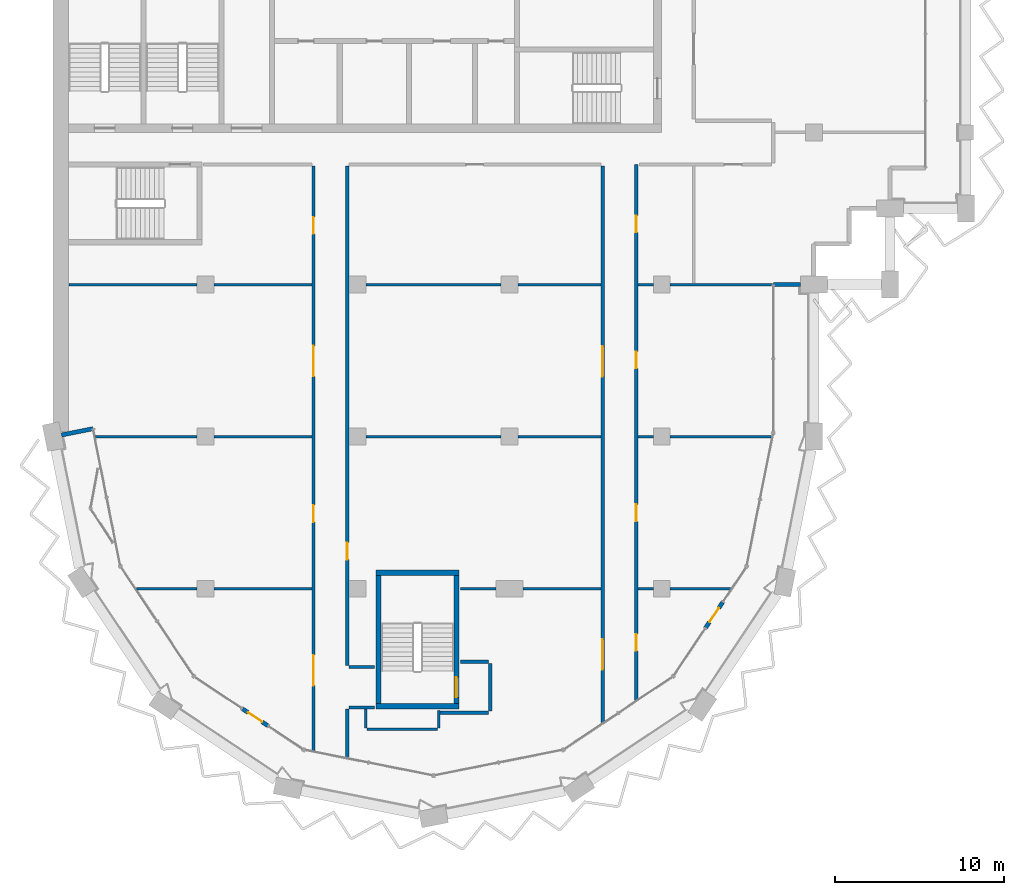
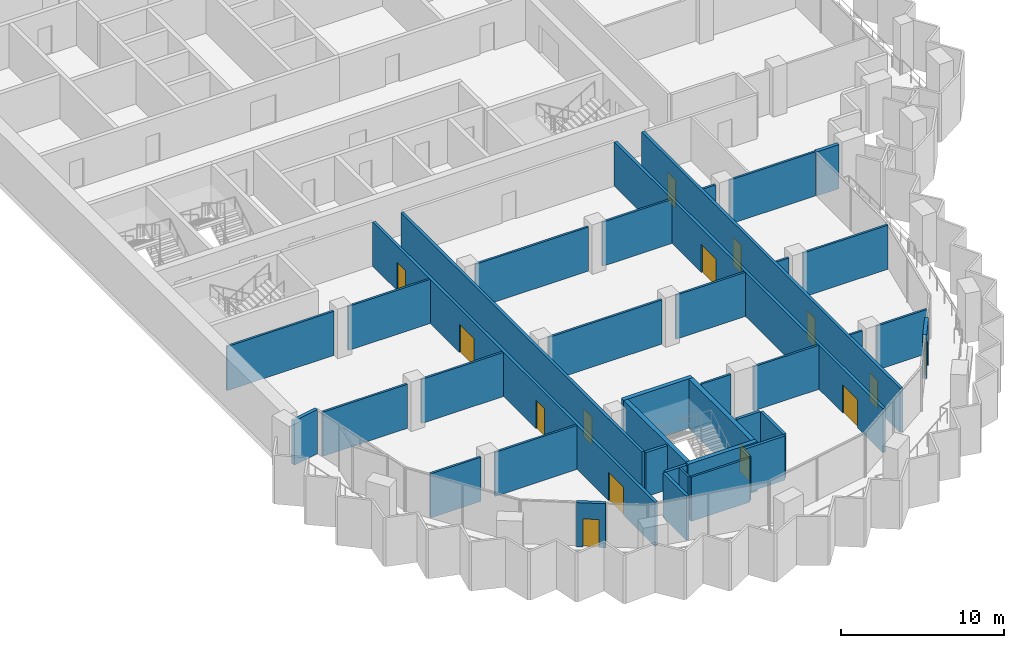
# One storey, part 8 of 17: 39 walls, 14 doors, 14 openings.
"""IFC4 building model written with IfcOpenShell, lengths in metres."""

from ifc_helpers import new_model, si_unit, direction, frame, frame_2d, origin, place, context, subcontext, project, spatial, rectangle, extrude, material, layer, layer_set, type_object, element, fill, save


model = new_model("IFC4")

# Units and contexts
model_context = context("Model", 3, precision=1e-05, world=origin(), true_north=direction((0.0, 1.0)))
body_context = subcontext(model_context, "Body", "Model", "MODEL_VIEW")
ifc_project = project(units=[si_unit("LENGTHUNIT", "METRE"), si_unit("AREAUNIT", "SQUARE_METRE"), si_unit("VOLUMEUNIT", "CUBIC_METRE"), si_unit("PLANEANGLEUNIT", "RADIAN"), si_unit("MASSUNIT", "GRAM", prefix="KILO")], contexts=[model_context])

# Site, building, storey
site_placement = place(None, origin())
site = spatial("IfcSite", under=ifc_project, at=site_placement, CompositionType="ELEMENT")
building_placement = place(site_placement, origin())
building = spatial("IfcBuilding", under=site, at=building_placement, Name="Hunhe Ridgeline Campus", CompositionType="ELEMENT")
storey_placement = place(building_placement, frame((0.0, 0.0, 268.800048828125)))
storey = spatial("IfcBuildingStorey", under=building, at=storey_placement, Name="L69", CompositionType="ELEMENT", Elevation=268.800048828125)

# Walls
ifc_material_1 = material(Name="Concrete C30", Category="concrete")
ifc_layer_1 = layer(ifc_material_1, 0.25)
ifc_layer_set_1 = layer_set([ifc_layer_1], Name="Corner return wall 250 Concrete C30")
wall_type_1 = type_object("IfcWallType", Name="Corner return wall 250 Concrete C30", PredefinedType="SOLIDWALL", material=ifc_layer_set_1)
wall_1_placement = place(storey_placement, frame((0.490234375, 45.098388671875, 0.0), z_axis=(0.0, 0.0, 1.0), x_axis=(0.980836699013, 0.194831644939, 0.0)))
element("IfcWall", 1, at=wall_1_placement, inside=storey, type_object=wall_type_1, Name="Corner return wall 1", PredefinedType="SOLIDWALL", context=body_context, shape_type="SweptSolid", body=[
    extrude(rectangle(XDim=1.90087890625, YDim=0.25, at=frame_2d((0.950439453125, 0.0))), origin(), (0.0, 0.0, 1.0), 3.300048828125),
])
wall_2_placement = place(storey_placement, frame((42.59912109375, 54.00048828125, 0.0), z_axis=(0.0, 0.0, 1.0), x_axis=(0.999999988371, 0.000152508767, 0.0)))
element("IfcWall", 2, at=wall_2_placement, inside=storey, type_object=wall_type_1, Name="Corner return wall 2", PredefinedType="SOLIDWALL", context=body_context, shape_type="SweptSolid", body=[
    extrude(rectangle(XDim=1.600830078125, YDim=0.25, at=frame_2d((0.80029296875, 0.0))), origin(), (0.0, 0.0, 1.0), 3.300048828125),
])
ifc_material_2 = material(Name="Gypsum board partition")
ifc_layer_2 = layer(ifc_material_2, 0.199951171875)
ifc_layer_set_2 = layer_set([ifc_layer_2], Name="Corridor partition 200 gypsum board on steel studs")
wall_type_2 = type_object("IfcWallType", Name="Corridor partition 200 gypsum board on steel studs", PredefinedType="PARTITIONING", material=ifc_layer_set_2)
wall_3_placement = place(storey_placement, frame((25.75, 28.675048828125, 0.0), z_axis=(0.0, 0.0, 1.0), x_axis=(-1.0, 0.0, 0.0)))
element("IfcWall", 3, at=wall_3_placement, inside=storey, type_object=wall_type_2, Name="F-L69-wall-002", PredefinedType="PARTITIONING", context=body_context, shape_type="SweptSolid", body=[
    extrude(rectangle(XDim=2.875, YDim=0.199951171875, at=frame_2d((1.4375, 0.0))), origin(), (0.0, 0.0, 1.0), 3.300048828125),
])
for number, where, z_axis, x_axis, name in (
    (4, (18.99609375, 28.97509765625, 0.0), (0.0, 0.0, 1.0), (-1.0, 0.0, 0.0), "F-L69-wall-003"),
    (5, (17.5, 31.375, 0.0), (0.0, 0.0, 1.0), (1.0, 0.0, 0.0), "F-L69-wall-004"),
):
    element("IfcWall", number, at=place(storey_placement, frame(where, z_axis=z_axis, x_axis=x_axis)), inside=storey, type_object=wall_type_2, Name=name, PredefinedType="PARTITIONING", context=body_context, shape_type="SweptSolid", body=[
        extrude(rectangle(XDim=1.49609375, YDim=0.199951171875, at=frame_2d((0.748046875, 0.0))), origin(), (0.0, 0.0, 1.0), 3.300048828125),
    ])
wall_4_placement = place(storey_placement, frame((24.10400390625, 31.675048828125, 0.0), z_axis=(0.0, 0.0, 1.0), x_axis=(1.0, 0.0, 0.0)))
element("IfcWall", 6, at=wall_4_placement, inside=storey, type_object=wall_type_2, Name="F-L69-wall-005", PredefinedType="PARTITIONING", context=body_context, shape_type="SweptSolid", body=[
    extrude(rectangle(XDim=1.64599609375, YDim=0.199951171875, at=frame_2d((0.822998046875, 0.0))), origin(), (0.0, 0.0, 1.0), 3.300048828125),
])

# Wall, openings, doors
wall_5_placement = place(storey_placement, frame((15.39990234375, 26.415283203125, 0.0), z_axis=(0.0, 0.0, 1.0), x_axis=(0.0, 1.0, 0.0)))
wall_5 = element("IfcWall", 7, at=wall_5_placement, inside=storey, type_object=wall_type_2, Name="F-L69-wall-037", PredefinedType="PARTITIONING", context=body_context, shape_type="SweptSolid", body=[
    extrude(rectangle(XDim=34.584716796875, YDim=0.199951171875, at=frame_2d((17.29248046875, 0.0))), origin(), (0.0, 0.0, 1.0), 3.300048828125),
])
opening_1_placement = place(wall_5_placement, frame((3.86181640625, 0.0, 0.0)))
opening_1 = element("IfcOpeningElement", 8, at=opening_1_placement, cuts=wall_5, Name="Opening RD2-001", PredefinedType="OPENING", context=body_context, shape_type="SweptSolid", body=[
    extrude(rectangle(XDim=1.800048828125, YDim=2.10009765625, at=frame_2d((0.89990234375, 1.050048828125))), frame((0.0, 0.10009765625, 0.0), z_axis=(0.0, -1.0, 0.0), x_axis=(1.0, 0.0, 0.0)), (0.0, 0.0, 1.0), 0.199951171875),
])
opening_2_placement = place(wall_5_placement, frame((13.5341796875, 0.0, 0.0)))
opening_2 = element("IfcOpeningElement", 9, at=opening_2_placement, cuts=wall_5, Name="Opening RD1-005", PredefinedType="OPENING", context=body_context, shape_type="SweptSolid", body=[
    extrude(rectangle(XDim=1.0, YDim=2.10009765625, at=frame_2d((0.5, 1.050048828125))), frame((0.0, 0.10009765625, 0.0), z_axis=(0.0, -1.0, 0.0), x_axis=(1.0, 0.0, 0.0)), (0.0, 0.0, 1.0), 0.199951171875),
])
opening_3_placement = place(wall_5_placement, frame((22.156494140625, 0.0, 0.0)))
opening_3 = element("IfcOpeningElement", 10, at=opening_3_placement, cuts=wall_5, Name="Opening RD2-008", PredefinedType="OPENING", context=body_context, shape_type="SweptSolid", body=[
    extrude(rectangle(XDim=1.800048828125, YDim=2.10009765625, at=frame_2d((0.89990234375, 1.050048828125))), frame((0.0, 0.10009765625, 0.0), z_axis=(0.0, -1.0, 0.0), x_axis=(1.0, 0.0, 0.0)), (0.0, 0.0, 1.0), 0.199951171875),
])
opening_4_placement = place(wall_5_placement, frame((30.575927734375, 0.0, 0.0)))
opening_4 = element("IfcOpeningElement", 11, at=opening_4_placement, cuts=wall_5, Name="Opening RD1-010", PredefinedType="OPENING", context=body_context, shape_type="SweptSolid", body=[
    extrude(rectangle(XDim=1.0, YDim=2.10009765625, at=frame_2d((0.5, 1.050048828125))), frame((0.0, 0.10009765625, 0.0), z_axis=(0.0, -1.0, 0.0), x_axis=(1.0, 0.0, 0.0)), (0.0, 0.0, 1.0), 0.199951171875),
])
ifc_material_3 = material(Name="Timber door leaf", Category="wood")
door_type_1 = type_object("IfcDoorType", Name="Double fire door 1800x2100 timber FD60", OperationType="DOUBLE_DOOR_SINGLE_SWING", PredefinedType="DOOR", material=ifc_material_3)
door_1_placement = place(opening_1_placement, origin())
door_1 = element("IfcDoor", 12, at=door_1_placement, inside=storey, type_object=door_type_1, Name="F-L69-door-001", OperationType="DOUBLE_DOOR_SINGLE_SWING", OverallHeight=2.10009765625, OverallWidth=1.800048828125, PredefinedType="DOOR", context=body_context, shape_type="SweptSolid", body=[
    extrude(rectangle(XDim=1.800048828125, YDim=2.10009765625, at=frame_2d((0.89990234375, 1.050048828125))), frame((0.0, 0.02490234375, 0.0), z_axis=(0.0, -1.0, 0.0), x_axis=(1.0, 0.0, 0.0)), (0.0, 0.0, 1.0), 0.050048828125),
])
fill(opening_1, door_1)
door_2_placement = place(opening_3_placement, origin())
door_2 = element("IfcDoor", 13, at=door_2_placement, inside=storey, type_object=door_type_1, Name="F-L69-door-008", OperationType="DOUBLE_DOOR_SINGLE_SWING", OverallHeight=2.10009765625, OverallWidth=1.800048828125, PredefinedType="DOOR", context=body_context, shape_type="SweptSolid", body=[
    extrude(rectangle(XDim=1.800048828125, YDim=2.10009765625, at=frame_2d((0.89990234375, 1.050048828125))), frame((0.0, 0.02490234375, 0.0), z_axis=(0.0, -1.0, 0.0), x_axis=(1.0, 0.0, 0.0)), (0.0, 0.0, 1.0), 0.050048828125),
])
fill(opening_3, door_2)
door_type_2 = type_object("IfcDoorType", Name="Single fire door 1000x2100 timber FD60", OperationType="NOTDEFINED", PredefinedType="DOOR", material=ifc_material_3)
door_3_placement = place(opening_2_placement, origin())
door_3 = element("IfcDoor", 14, at=door_3_placement, inside=storey, type_object=door_type_2, Name="F-L69-door-005", OperationType="SINGLE_SWING_RIGHT", OverallHeight=2.10009765625, OverallWidth=1.0, PredefinedType="DOOR", context=body_context, shape_type="SweptSolid", body=[
    extrude(rectangle(XDim=1.0, YDim=2.10009765625, at=frame_2d((0.5, 1.050048828125))), frame((0.0, 0.02490234375, 0.0), z_axis=(0.0, -1.0, 0.0), x_axis=(1.0, 0.0, 0.0)), (0.0, 0.0, 1.0), 0.050048828125),
])
fill(opening_2, door_3)
door_4_placement = place(opening_4_placement, origin())
door_4 = element("IfcDoor", 15, at=door_4_placement, inside=storey, type_object=door_type_2, Name="F-L69-door-010", OperationType="SINGLE_SWING_RIGHT", OverallHeight=2.10009765625, OverallWidth=1.0, PredefinedType="DOOR", context=body_context, shape_type="SweptSolid", body=[
    extrude(rectangle(XDim=1.0, YDim=2.10009765625, at=frame_2d((0.5, 1.050048828125))), frame((0.0, 0.02490234375, 0.0), z_axis=(0.0, -1.0, 0.0), x_axis=(1.0, 0.0, 0.0)), (0.0, 0.0, 1.0), 0.050048828125),
])
fill(opening_4, door_4)

# Wall
wall_6_placement = place(storey_placement, frame((17.39990234375, 28.875, 0.0), z_axis=(0.0, 0.0, 1.0), x_axis=(0.0, -1.0, 0.0)))
element("IfcWall", 16, at=wall_6_placement, inside=storey, type_object=wall_type_2, Name="F-L69-wall-038", PredefinedType="PARTITIONING", context=body_context, shape_type="SweptSolid", body=[
    extrude(rectangle(XDim=2.857421875, YDim=0.199951171875, at=frame_2d((1.4287109375, 0.0))), origin(), (0.0, 0.0, 1.0), 3.300048828125),
])

# Wall, opening, door
wall_7_placement = place(storey_placement, frame((17.39990234375, 61.0, 0.0), z_axis=(0.0, 0.0, 1.0), x_axis=(0.0, -1.0, 0.0)))
wall_7 = element("IfcWall", 17, at=wall_7_placement, inside=storey, type_object=wall_type_2, Name="F-L69-wall-039", PredefinedType="PARTITIONING", context=body_context, shape_type="SweptSolid", body=[
    extrude(rectangle(XDim=29.52490234375, YDim=0.199951171875, at=frame_2d((14.762451171875, 0.0))), origin(), (0.0, 0.0, 1.0), 3.300048828125),
])
opening_5_placement = place(wall_7_placement, frame((22.269287109375, 0.0, 0.0)))
opening_5 = element("IfcOpeningElement", 18, at=opening_5_placement, cuts=wall_7, Name="Opening RD1-004", PredefinedType="OPENING", context=body_context, shape_type="SweptSolid", body=[
    extrude(rectangle(XDim=1.0, YDim=2.10009765625, at=frame_2d((0.5, 1.050048828125))), frame((0.0, 0.10009765625, 0.0), z_axis=(0.0, -1.0, 0.0), x_axis=(1.0, 0.0, 0.0)), (0.0, 0.0, 1.0), 0.199951171875),
])
door_5_placement = place(opening_5_placement, origin())
door_5 = element("IfcDoor", 19, at=door_5_placement, inside=storey, type_object=door_type_2, Name="F-L69-door-004", OperationType="SINGLE_SWING_RIGHT", OverallHeight=2.10009765625, OverallWidth=1.0, PredefinedType="DOOR", context=body_context, shape_type="SweptSolid", body=[
    extrude(rectangle(XDim=1.0, YDim=2.10009765625, at=frame_2d((0.5, 1.050048828125))), frame((0.0, 0.02490234375, 0.0), z_axis=(0.0, -1.0, 0.0), x_axis=(1.0, 0.0, 0.0)), (0.0, 0.0, 1.0), 0.050048828125),
])
fill(opening_5, door_5)

# Wall
wall_8_placement = place(storey_placement, frame((25.85009765625, 31.574951171875, 0.0), z_axis=(0.0, 0.0, 1.0), x_axis=(0.0, -1.0, 0.0)))
element("IfcWall", 20, at=wall_8_placement, inside=storey, type_object=wall_type_2, Name="F-L69-wall-042", PredefinedType="PARTITIONING", context=body_context, shape_type="SweptSolid", body=[
    extrude(rectangle(XDim=2.800048828125, YDim=0.199951171875, at=frame_2d((1.39990234375, 0.0))), origin(), (0.0, 0.0, 1.0), 3.300048828125),
])

# Wall, openings, doors
wall_9_placement = place(storey_placement, frame((32.5, 28.09375, 0.0), z_axis=(0.0, 0.0, 1.0), x_axis=(0.0, 1.0, 0.0)))
wall_9 = element("IfcWall", 21, at=wall_9_placement, inside=storey, type_object=wall_type_2, Name="F-L69-wall-043", PredefinedType="PARTITIONING", context=body_context, shape_type="SweptSolid", body=[
    extrude(rectangle(XDim=32.90625, YDim=0.199951171875, at=frame_2d((16.453125, 0.0))), origin(), (0.0, 0.0, 1.0), 3.300048828125),
])
opening_6_placement = place(wall_9_placement, frame((3.119140625, 0.0, 0.0)))
opening_6 = element("IfcOpeningElement", 22, at=opening_6_placement, cuts=wall_9, Name="Opening RD2-002", PredefinedType="OPENING", context=body_context, shape_type="SweptSolid", body=[
    extrude(rectangle(XDim=1.800048828125, YDim=2.10009765625, at=frame_2d((0.89990234375, 1.050048828125))), frame((0.0, 0.10009765625, 0.0), z_axis=(0.0, -1.0, 0.0), x_axis=(1.0, 0.0, 0.0)), (0.0, 0.0, 1.0), 0.199951171875),
])
opening_7_placement = place(wall_9_placement, frame((20.451416015625, 0.0, 0.0)))
opening_7 = element("IfcOpeningElement", 23, at=opening_7_placement, cuts=wall_9, Name="Opening RD2-007", PredefinedType="OPENING", context=body_context, shape_type="SweptSolid", body=[
    extrude(rectangle(XDim=1.800048828125, YDim=2.10009765625, at=frame_2d((0.89990234375, 1.050048828125))), frame((0.0, 0.10009765625, 0.0), z_axis=(0.0, -1.0, 0.0), x_axis=(1.0, 0.0, 0.0)), (0.0, 0.0, 1.0), 0.199951171875),
])
door_6_placement = place(opening_6_placement, origin())
door_6 = element("IfcDoor", 24, at=door_6_placement, inside=storey, type_object=door_type_1, Name="F-L69-door-002", OperationType="DOUBLE_DOOR_SINGLE_SWING", OverallHeight=2.10009765625, OverallWidth=1.800048828125, PredefinedType="DOOR", context=body_context, shape_type="SweptSolid", body=[
    extrude(rectangle(XDim=1.800048828125, YDim=2.10009765625, at=frame_2d((0.89990234375, 1.050048828125))), frame((0.0, 0.02490234375, 0.0), z_axis=(0.0, -1.0, 0.0), x_axis=(1.0, 0.0, 0.0)), (0.0, 0.0, 1.0), 0.050048828125),
])
fill(opening_6, door_6)
door_7_placement = place(opening_7_placement, origin())
door_7 = element("IfcDoor", 25, at=door_7_placement, inside=storey, type_object=door_type_1, Name="F-L69-door-007", OperationType="DOUBLE_DOOR_SINGLE_SWING", OverallHeight=2.10009765625, OverallWidth=1.800048828125, PredefinedType="DOOR", context=body_context, shape_type="SweptSolid", body=[
    extrude(rectangle(XDim=1.800048828125, YDim=2.10009765625, at=frame_2d((0.89990234375, 1.050048828125))), frame((0.0, 0.02490234375, 0.0), z_axis=(0.0, -1.0, 0.0), x_axis=(1.0, 0.0, 0.0)), (0.0, 0.0, 1.0), 0.050048828125),
])
fill(opening_7, door_7)

wall_10_placement = place(storey_placement, frame((34.5, 61.10009765625, 0.0), z_axis=(0.0, 0.0, 1.0), x_axis=(0.0, -1.0, 0.0)))
wall_10 = element("IfcWall", 26, at=wall_10_placement, inside=storey, type_object=wall_type_2, Name="F-L69-wall-044", PredefinedType="PARTITIONING", context=body_context, shape_type="SweptSolid", body=[
    extrude(rectangle(XDim=31.669921875, YDim=0.199951171875, at=frame_2d((15.8349609375, 0.0))), origin(), (0.0, 0.0, 1.0), 3.300048828125),
])
opening_8_placement = place(wall_10_placement, frame((27.776611328125, 0.0, 0.0)))
opening_8 = element("IfcOpeningElement", 27, at=opening_8_placement, cuts=wall_10, Name="Opening RD1-003", PredefinedType="OPENING", context=body_context, shape_type="SweptSolid", body=[
    extrude(rectangle(XDim=1.0, YDim=2.10009765625, at=frame_2d((0.5, 1.050048828125))), frame((0.0, 0.10009765625, 0.0), z_axis=(0.0, -1.0, 0.0), x_axis=(1.0, 0.0, 0.0)), (0.0, 0.0, 1.0), 0.199951171875),
])
opening_9_placement = place(wall_10_placement, frame((20.110595703125, 0.0, 0.0)))
opening_9 = element("IfcOpeningElement", 28, at=opening_9_placement, cuts=wall_10, Name="Opening RD1-006", PredefinedType="OPENING", context=body_context, shape_type="SweptSolid", body=[
    extrude(rectangle(XDim=1.0, YDim=2.10009765625, at=frame_2d((0.5, 1.050048828125))), frame((0.0, 0.10009765625, 0.0), z_axis=(0.0, -1.0, 0.0), x_axis=(1.0, 0.0, 0.0)), (0.0, 0.0, 1.0), 0.199951171875),
])
opening_10_placement = place(wall_10_placement, frame((11.06201171875, 0.0, 0.0)))
opening_10 = element("IfcOpeningElement", 29, at=opening_10_placement, cuts=wall_10, Name="Opening RD1-009", PredefinedType="OPENING", context=body_context, shape_type="SweptSolid", body=[
    extrude(rectangle(XDim=1.0, YDim=2.10009765625, at=frame_2d((0.5, 1.050048828125))), frame((0.0, 0.10009765625, 0.0), z_axis=(0.0, -1.0, 0.0), x_axis=(1.0, 0.0, 0.0)), (0.0, 0.0, 1.0), 0.199951171875),
])
opening_11_placement = place(wall_10_placement, frame((3.018798828125, 0.0, 0.0)))
opening_11 = element("IfcOpeningElement", 30, at=opening_11_placement, cuts=wall_10, Name="Opening RD1-011", PredefinedType="OPENING", context=body_context, shape_type="SweptSolid", body=[
    extrude(rectangle(XDim=1.0, YDim=2.10009765625, at=frame_2d((0.5, 1.050048828125))), frame((0.0, 0.10009765625, 0.0), z_axis=(0.0, -1.0, 0.0), x_axis=(1.0, 0.0, 0.0)), (0.0, 0.0, 1.0), 0.199951171875),
])
door_8_placement = place(opening_8_placement, origin())
door_8 = element("IfcDoor", 31, at=door_8_placement, inside=storey, type_object=door_type_2, Name="F-L69-door-003", OperationType="SINGLE_SWING_LEFT", OverallHeight=2.10009765625, OverallWidth=1.0, PredefinedType="DOOR", context=body_context, shape_type="SweptSolid", body=[
    extrude(rectangle(XDim=1.0, YDim=2.10009765625, at=frame_2d((0.5, 1.050048828125))), frame((0.0, 0.02490234375, 0.0), z_axis=(0.0, -1.0, 0.0), x_axis=(1.0, 0.0, 0.0)), (0.0, 0.0, 1.0), 0.050048828125),
])
fill(opening_8, door_8)
door_9_placement = place(opening_9_placement, origin())
door_9 = element("IfcDoor", 32, at=door_9_placement, inside=storey, type_object=door_type_2, Name="F-L69-door-006", OperationType="SINGLE_SWING_LEFT", OverallHeight=2.10009765625, OverallWidth=1.0, PredefinedType="DOOR", context=body_context, shape_type="SweptSolid", body=[
    extrude(rectangle(XDim=1.0, YDim=2.10009765625, at=frame_2d((0.5, 1.050048828125))), frame((0.0, 0.02490234375, 0.0), z_axis=(0.0, -1.0, 0.0), x_axis=(1.0, 0.0, 0.0)), (0.0, 0.0, 1.0), 0.050048828125),
])
fill(opening_9, door_9)
door_10_placement = place(opening_10_placement, origin())
door_10 = element("IfcDoor", 33, at=door_10_placement, inside=storey, type_object=door_type_2, Name="F-L69-door-009", OperationType="SINGLE_SWING_LEFT", OverallHeight=2.10009765625, OverallWidth=1.0, PredefinedType="DOOR", context=body_context, shape_type="SweptSolid", body=[
    extrude(rectangle(XDim=1.0, YDim=2.10009765625, at=frame_2d((0.5, 1.050048828125))), frame((0.0, 0.02490234375, 0.0), z_axis=(0.0, -1.0, 0.0), x_axis=(1.0, 0.0, 0.0)), (0.0, 0.0, 1.0), 0.050048828125),
])
fill(opening_10, door_10)
door_11_placement = place(opening_11_placement, origin())
door_11 = element("IfcDoor", 34, at=door_11_placement, inside=storey, type_object=door_type_2, Name="F-L69-door-011", OperationType="SINGLE_SWING_LEFT", OverallHeight=2.10009765625, OverallWidth=1.0, PredefinedType="DOOR", context=body_context, shape_type="SweptSolid", body=[
    extrude(rectangle(XDim=1.0, YDim=2.10009765625, at=frame_2d((0.5, 1.050048828125))), frame((0.0, 0.02490234375, 0.0), z_axis=(0.0, -1.0, 0.0), x_axis=(1.0, 0.0, 0.0)), (0.0, 0.0, 1.0), 0.050048828125),
])
fill(opening_11, door_11)

# Wall, opening, door
ifc_layer_3 = layer(ifc_material_1, 0.25)
ifc_layer_set_3 = layer_set([ifc_layer_3], Name="Loggia door pier wall 250 Concrete C30")
wall_type_3 = type_object("IfcWallType", Name="Loggia door pier wall 250 Concrete C30", PredefinedType="SOLIDWALL", material=ifc_layer_set_3)
wall_11_placement = place(storey_placement, frame((11.19970703125, 28.897705078125, 0.0), z_axis=(0.0, 0.0, 1.0), x_axis=(0.83146554274, -0.555576323502, 0.0)))
wall_11 = element("IfcWall", 35, at=wall_11_placement, inside=storey, type_object=wall_type_3, Name="Loggia door pier 1", PredefinedType="SOLIDWALL", context=body_context, shape_type="SweptSolid", body=[
    extrude(rectangle(XDim=1.800048828125, YDim=0.25, at=frame_2d((0.89990234375, 0.0))), origin(), (0.0, 0.0, 1.0), 3.300048828125),
])
opening_12_placement = place(wall_11_placement, frame((0.39990234375, 0.0, 0.0)))
opening_12 = element("IfcOpeningElement", 36, at=opening_12_placement, cuts=wall_11, Name="Opening BD502", PredefinedType="OPENING", context=body_context, shape_type="SweptSolid", body=[
    extrude(rectangle(XDim=1.0, YDim=2.10009765625, at=frame_2d((0.5, 1.050048828125))), frame((0.0, 0.125, 0.0), z_axis=(0.0, -1.0, 0.0), x_axis=(1.0, 0.0, 0.0)), (0.0, 0.0, 1.0), 0.25),
])
ifc_material_4 = material(Name="Aluminium 6063", Category="aluminium")
door_type_3 = type_object("IfcDoorType", Name="Loggia glazed door 1000x2100", OperationType="NOTDEFINED", PredefinedType="DOOR", material=ifc_material_4)
door_12_placement = place(opening_12_placement, frame((1.0, 0.0, 0.0), z_axis=(0.0, 0.0, 1.0), x_axis=(-1.0, 0.0, 0.0)))
door_12 = element("IfcDoor", 37, at=door_12_placement, inside=storey, type_object=door_type_3, Name="Loggia door BD502", OperationType="SINGLE_SWING_LEFT", OverallHeight=2.10009765625, OverallWidth=1.0, PredefinedType="DOOR", context=body_context, shape_type="SweptSolid", body=[
    extrude(rectangle(XDim=1.0, YDim=2.10009765625, at=frame_2d((0.5, 1.050048828125))), frame((0.0, 0.02490234375, 0.0), z_axis=(0.0, -1.0, 0.0), x_axis=(1.0, 0.0, 0.0)), (0.0, 0.0, 1.0), 0.050048828125),
])
fill(opening_12, door_12)

wall_12_placement = place(storey_placement, frame((38.602294921875, 33.69970703125, 0.0), z_axis=(0.0, 0.0, 1.0), x_axis=(0.555576323502, 0.83146554274, 0.0)))
wall_12 = element("IfcWall", 38, at=wall_12_placement, inside=storey, type_object=wall_type_3, Name="Loggia door pier 2", PredefinedType="SOLIDWALL", context=body_context, shape_type="SweptSolid", body=[
    extrude(rectangle(XDim=1.800048828125, YDim=0.25, at=frame_2d((0.89990234375, 0.0))), origin(), (0.0, 0.0, 1.0), 3.300048828125),
])
opening_13_placement = place(wall_12_placement, frame((0.39990234375, 0.0, 0.0)))
opening_13 = element("IfcOpeningElement", 39, at=opening_13_placement, cuts=wall_12, Name="Opening BD504", PredefinedType="OPENING", context=body_context, shape_type="SweptSolid", body=[
    extrude(rectangle(XDim=1.0, YDim=2.10009765625, at=frame_2d((0.5, 1.050048828125))), frame((0.0, 0.125, 0.0), z_axis=(0.0, -1.0, 0.0), x_axis=(1.0, 0.0, 0.0)), (0.0, 0.0, 1.0), 0.25),
])
door_13_placement = place(opening_13_placement, frame((1.0, 0.0, 0.0), z_axis=(0.0, 0.0, 1.0), x_axis=(-1.0, 0.0, 0.0)))
door_13 = element("IfcDoor", 40, at=door_13_placement, inside=storey, type_object=door_type_3, Name="Loggia door BD504", OperationType="SINGLE_SWING_LEFT", OverallHeight=2.10009765625, OverallWidth=1.0, PredefinedType="DOOR", context=body_context, shape_type="SweptSolid", body=[
    extrude(rectangle(XDim=1.0, YDim=2.10009765625, at=frame_2d((0.5, 1.050048828125))), frame((0.0, 0.02490234375, 0.0), z_axis=(0.0, -1.0, 0.0), x_axis=(1.0, 0.0, 0.0)), (0.0, 0.0, 1.0), 0.050048828125),
])
fill(opening_13, door_13)

# Walls
ifc_layer_4 = layer(ifc_material_2, 0.14990234375)
ifc_layer_set_4 = layer_set([ifc_layer_4], Name="Room partition 150 gypsum board on steel studs")
wall_type_4 = type_object("IfcWallType", Name="Room partition 150 gypsum board on steel studs", PredefinedType="PARTITIONING", material=ifc_layer_set_4)
wall_13_placement = place(storey_placement, frame((18.574951171875, 27.68994140625, 0.0), z_axis=(0.0, 0.0, 1.0), x_axis=(1.0, 0.0, 0.0)))
element("IfcWall", 41, at=wall_13_placement, inside=storey, type_object=wall_type_4, Name="F-L69-wall-001", PredefinedType="PARTITIONING", context=body_context, shape_type="SweptSolid", body=[
    extrude(rectangle(XDim=4.150146484375, YDim=0.14990234375, at=frame_2d((2.0751953125, 0.0))), origin(), (0.0, 0.0, 1.0), 3.300048828125),
])
wall_14_placement = place(storey_placement, frame((4.925537109375, 36.0, 0.0), z_axis=(0.0, 0.0, 1.0), x_axis=(1.0, 0.0, 0.0)))
element("IfcWall", 42, at=wall_14_placement, inside=storey, type_object=wall_type_4, Name="F-L69-wall-006", PredefinedType="PARTITIONING", context=body_context, shape_type="SweptSolid", body=[
    extrude(rectangle(XDim=3.574462890625, YDim=0.14990234375, at=frame_2d((1.787109375, 0.0))), origin(), (0.0, 0.0, 1.0), 3.300048828125),
])
wall_15_placement = place(storey_placement, frame((9.5, 36.0, 0.0), z_axis=(0.0, 0.0, 1.0), x_axis=(1.0, 0.0, 0.0)))
element("IfcWall", 43, at=wall_15_placement, inside=storey, type_object=wall_type_4, Name="F-L69-wall-007", PredefinedType="PARTITIONING", context=body_context, shape_type="SweptSolid", body=[
    extrude(rectangle(XDim=5.800048828125, YDim=0.14990234375, at=frame_2d((2.89990234375, 0.0))), origin(), (0.0, 0.0, 1.0), 3.300048828125),
])
wall_16_placement = place(storey_placement, frame((24.10400390625, 36.0, 0.0), z_axis=(0.0, 0.0, 1.0), x_axis=(1.0, 0.0, 0.0)))
element("IfcWall", 44, at=wall_16_placement, inside=storey, type_object=wall_type_4, Name="F-L69-wall-008", PredefinedType="PARTITIONING", context=body_context, shape_type="SweptSolid", body=[
    extrude(rectangle(XDim=2.095947265625, YDim=0.14990234375, at=frame_2d((1.0478515625, 0.0))), origin(), (0.0, 0.0, 1.0), 3.300048828125),
])
wall_17_placement = place(storey_placement, frame((27.800048828125, 36.0, 0.0), z_axis=(0.0, 0.0, 1.0), x_axis=(1.0, 0.0, 0.0)))
element("IfcWall", 45, at=wall_17_placement, inside=storey, type_object=wall_type_4, Name="F-L69-wall-009", PredefinedType="PARTITIONING", context=body_context, shape_type="SweptSolid", body=[
    extrude(rectangle(XDim=4.599853515625, YDim=0.14990234375, at=frame_2d((2.2998046875, 0.0))), origin(), (0.0, 0.0, 1.0), 3.300048828125),
])
wall_18_placement = place(storey_placement, frame((34.60009765625, 36.0, 0.0), z_axis=(0.0, 0.0, 1.0), x_axis=(1.0, 0.0, 0.0)))
element("IfcWall", 46, at=wall_18_placement, inside=storey, type_object=wall_type_4, Name="F-L69-wall-010", PredefinedType="PARTITIONING", context=body_context, shape_type="SweptSolid", body=[
    extrude(rectangle(XDim=0.89990234375, YDim=0.14990234375, at=frame_2d((0.449951171875, 0.0))), origin(), (0.0, 0.0, 1.0), 3.300048828125),
])
wall_19_placement = place(storey_placement, frame((36.5, 36.0, 0.0), z_axis=(0.0, 0.0, 1.0), x_axis=(1.0, 0.0, 0.0)))
element("IfcWall", 47, at=wall_19_placement, inside=storey, type_object=wall_type_4, Name="F-L69-wall-011", PredefinedType="PARTITIONING", context=body_context, shape_type="SweptSolid", body=[
    extrude(rectangle(XDim=3.574462890625, YDim=0.14990234375, at=frame_2d((1.787109375, 0.0))), origin(), (0.0, 0.0, 1.0), 3.300048828125),
])
wall_20_placement = place(storey_placement, frame((2.503173828125, 45.0, 0.0), z_axis=(0.0, 0.0, 1.0), x_axis=(1.0, 0.0, 0.0)))
element("IfcWall", 48, at=wall_20_placement, inside=storey, type_object=wall_type_4, Name="F-L69-wall-012", PredefinedType="PARTITIONING", context=body_context, shape_type="SweptSolid", body=[
    extrude(rectangle(XDim=5.996826171875, YDim=0.14990234375, at=frame_2d((2.99853515625, 0.0))), origin(), (0.0, 0.0, 1.0), 3.300048828125),
])
wall_21_placement = place(storey_placement, frame((9.5, 45.0, 0.0), z_axis=(0.0, 0.0, 1.0), x_axis=(1.0, 0.0, 0.0)))
element("IfcWall", 49, at=wall_21_placement, inside=storey, type_object=wall_type_4, Name="F-L69-wall-013", PredefinedType="PARTITIONING", context=body_context, shape_type="SweptSolid", body=[
    extrude(rectangle(XDim=5.800048828125, YDim=0.14990234375, at=frame_2d((2.89990234375, 0.0))), origin(), (0.0, 0.0, 1.0), 3.300048828125),
])
wall_22_placement = place(storey_placement, frame((18.5, 45.0, 0.0), z_axis=(0.0, 0.0, 1.0), x_axis=(1.0, 0.0, 0.0)))
element("IfcWall", 50, at=wall_22_placement, inside=storey, type_object=wall_type_4, Name="F-L69-wall-014", PredefinedType="PARTITIONING", context=body_context, shape_type="SweptSolid", body=[
    extrude(rectangle(XDim=8.0, YDim=0.14990234375, at=frame_2d((4.0, 0.0))), origin(), (0.0, 0.0, 1.0), 3.300048828125),
])
wall_23_placement = place(storey_placement, frame((27.5, 45.0, 0.0), z_axis=(0.0, 0.0, 1.0), x_axis=(1.0, 0.0, 0.0)))
element("IfcWall", 51, at=wall_23_placement, inside=storey, type_object=wall_type_4, Name="F-L69-wall-015", PredefinedType="PARTITIONING", context=body_context, shape_type="SweptSolid", body=[
    extrude(rectangle(XDim=4.89990234375, YDim=0.14990234375, at=frame_2d((2.449951171875, 0.0))), origin(), (0.0, 0.0, 1.0), 3.300048828125),
])
wall_24_placement = place(storey_placement, frame((34.60009765625, 45.0, 0.0), z_axis=(0.0, 0.0, 1.0), x_axis=(1.0, 0.0, 0.0)))
element("IfcWall", 52, at=wall_24_placement, inside=storey, type_object=wall_type_4, Name="F-L69-wall-016", PredefinedType="PARTITIONING", context=body_context, shape_type="SweptSolid", body=[
    extrude(rectangle(XDim=0.89990234375, YDim=0.14990234375, at=frame_2d((0.449951171875, 0.0))), origin(), (0.0, 0.0, 1.0), 3.300048828125),
])
wall_25_placement = place(storey_placement, frame((36.5, 45.0, 0.0), z_axis=(0.0, 0.0, 1.0), x_axis=(1.0, 0.0, 0.0)))
element("IfcWall", 53, at=wall_25_placement, inside=storey, type_object=wall_type_4, Name="F-L69-wall-017", PredefinedType="PARTITIONING", context=body_context, shape_type="SweptSolid", body=[
    extrude(rectangle(XDim=5.996826171875, YDim=0.14990234375, at=frame_2d((2.99853515625, 0.0))), origin(), (0.0, 0.0, 1.0), 3.300048828125),
])
wall_26_placement = place(storey_placement, frame((0.919921875, 54.0, 0.0), z_axis=(0.0, 0.0, 1.0), x_axis=(1.0, 0.0, 0.0)))
element("IfcWall", 54, at=wall_26_placement, inside=storey, type_object=wall_type_4, Name="F-L69-wall-018", PredefinedType="PARTITIONING", context=body_context, shape_type="SweptSolid", body=[
    extrude(rectangle(XDim=7.580078125, YDim=0.14990234375, at=frame_2d((3.7900390625, 0.0))), origin(), (0.0, 0.0, 1.0), 3.300048828125),
])
wall_27_placement = place(storey_placement, frame((9.5, 54.0, 0.0), z_axis=(0.0, 0.0, 1.0), x_axis=(1.0, 0.0, 0.0)))
element("IfcWall", 55, at=wall_27_placement, inside=storey, type_object=wall_type_4, Name="F-L69-wall-019", PredefinedType="PARTITIONING", context=body_context, shape_type="SweptSolid", body=[
    extrude(rectangle(XDim=5.800048828125, YDim=0.14990234375, at=frame_2d((2.89990234375, 0.0))), origin(), (0.0, 0.0, 1.0), 3.300048828125),
])
wall_28_placement = place(storey_placement, frame((18.5, 54.0, 0.0), z_axis=(0.0, 0.0, 1.0), x_axis=(1.0, 0.0, 0.0)))
element("IfcWall", 56, at=wall_28_placement, inside=storey, type_object=wall_type_4, Name="F-L69-wall-020", PredefinedType="PARTITIONING", context=body_context, shape_type="SweptSolid", body=[
    extrude(rectangle(XDim=8.0, YDim=0.14990234375, at=frame_2d((4.0, 0.0))), origin(), (0.0, 0.0, 1.0), 3.300048828125),
])
wall_29_placement = place(storey_placement, frame((27.5, 54.0, 0.0), z_axis=(0.0, 0.0, 1.0), x_axis=(1.0, 0.0, 0.0)))
element("IfcWall", 57, at=wall_29_placement, inside=storey, type_object=wall_type_4, Name="F-L69-wall-021", PredefinedType="PARTITIONING", context=body_context, shape_type="SweptSolid", body=[
    extrude(rectangle(XDim=4.89990234375, YDim=0.14990234375, at=frame_2d((2.449951171875, 0.0))), origin(), (0.0, 0.0, 1.0), 3.300048828125),
])
wall_30_placement = place(storey_placement, frame((34.60009765625, 54.0, 0.0), z_axis=(0.0, 0.0, 1.0), x_axis=(1.0, 0.0, 0.0)))
element("IfcWall", 58, at=wall_30_placement, inside=storey, type_object=wall_type_4, Name="F-L69-wall-022", PredefinedType="PARTITIONING", context=body_context, shape_type="SweptSolid", body=[
    extrude(rectangle(XDim=0.89990234375, YDim=0.14990234375, at=frame_2d((0.449951171875, 0.0))), origin(), (0.0, 0.0, 1.0), 3.300048828125),
])
wall_31_placement = place(storey_placement, frame((36.5, 54.0, 0.0), z_axis=(0.0, 0.0, 1.0), x_axis=(1.0, 0.0, 0.0)))
element("IfcWall", 59, at=wall_31_placement, inside=storey, type_object=wall_type_4, Name="F-L69-wall-023", PredefinedType="PARTITIONING", context=body_context, shape_type="SweptSolid", body=[
    extrude(rectangle(XDim=6.045166015625, YDim=0.14990234375, at=frame_2d((3.0224609375, 0.0))), origin(), (0.0, 0.0, 1.0), 3.300048828125),
])
wall_32_placement = place(storey_placement, frame((18.5, 28.875, 0.0), z_axis=(0.0, 0.0, 1.0), x_axis=(0.0, -1.0, 0.0)))
element("IfcWall", 60, at=wall_32_placement, inside=storey, type_object=wall_type_4, Name="F-L69-wall-040", PredefinedType="PARTITIONING", context=body_context, shape_type="SweptSolid", body=[
    extrude(rectangle(XDim=1.110107421875, YDim=0.14990234375, at=frame_2d((0.55517578125, 0.0))), origin(), (0.0, 0.0, 1.0), 3.300048828125),
])
wall_33_placement = place(storey_placement, frame((22.800048828125, 28.7958984375, 0.0), z_axis=(0.0, 0.0, 1.0), x_axis=(0.0, -1.0, 0.0)))
element("IfcWall", 61, at=wall_33_placement, inside=storey, type_object=wall_type_4, Name="F-L69-wall-041", PredefinedType="PARTITIONING", context=body_context, shape_type="SweptSolid", body=[
    extrude(rectangle(XDim=1.031005859375, YDim=0.14990234375, at=frame_2d((0.515625, 0.0))), origin(), (0.0, 0.0, 1.0), 3.300048828125),
])
ifc_material_5 = material(Name="Concrete C50", Category="concrete")
ifc_layer_5 = layer(ifc_material_5, 0.300048828125)
ifc_layer_set_5 = layer_set([ifc_layer_5], Name="Stair wall 300 reinforced concrete C50")
wall_type_5 = type_object("IfcWallType", Name="Stair wall 300 reinforced concrete C50", PredefinedType="SOLIDWALL", material=ifc_layer_set_5)
for number, where, z_axis, x_axis, name in (
    (62, (19.10009765625, 29.050048828125, -0.400146484375), (0.0, 0.0, 1.0), (1.0, 0.0, 0.0), "L69 core wall 1"),
    (63, (19.10009765625, 36.949951171875, -0.400146484375), (0.0, 0.0, 1.0), (1.0, 0.0, 0.0), "L69 core wall 2"),
):
    element("IfcWall", number, at=place(storey_placement, frame(where, z_axis=z_axis, x_axis=x_axis)), inside=storey, type_object=wall_type_5, Name=name, PredefinedType="SOLIDWALL", context=body_context, shape_type="SweptSolid", body=[
        extrude(rectangle(XDim=4.89990234375, YDim=0.300048828125, at=frame_2d((2.449951171875, 0.0))), origin(), (0.0, 0.0, 1.0), 3.7001953125),
    ])
wall_34_placement = place(storey_placement, frame((19.25, 29.199951171875, -0.400146484375), z_axis=(0.0, 0.0, 1.0), x_axis=(0.0, 1.0, 0.0)))
element("IfcWall", 64, at=wall_34_placement, inside=storey, type_object=wall_type_5, Name="L69 core wall 40", PredefinedType="SOLIDWALL", context=body_context, shape_type="SweptSolid", body=[
    extrude(rectangle(XDim=7.60009765625, YDim=0.300048828125, at=frame_2d((3.800048828125, 0.0))), origin(), (0.0, 0.0, 1.0), 3.7001953125),
])

# Wall, opening, door
wall_35_placement = place(storey_placement, frame((23.85009765625, 29.199951171875, -0.400146484375), z_axis=(0.0, 0.0, 1.0), x_axis=(0.0, 1.0, 0.0)))
wall_35 = element("IfcWall", 65, at=wall_35_placement, inside=storey, type_object=wall_type_5, Name="L69 core wall 45", PredefinedType="SOLIDWALL", context=body_context, shape_type="SweptSolid", body=[
    extrude(rectangle(XDim=7.60009765625, YDim=0.300048828125, at=frame_2d((3.800048828125, 0.0))), origin(), (0.0, 0.0, 1.0), 3.7001953125),
])
opening_14_placement = place(wall_35_placement, frame((0.375, 0.0, 0.39990234375)))
opening_14 = element("IfcOpeningElement", 66, at=opening_14_placement, cuts=wall_35, Name="Opening CD23", PredefinedType="OPENING", context=body_context, shape_type="SweptSolid", body=[
    extrude(rectangle(XDim=1.199951171875, YDim=2.10009765625, at=frame_2d((0.60009765625, 1.050048828125))), frame((0.0, 0.14990234375, 0.0), z_axis=(0.0, -1.0, 0.0), x_axis=(1.0, 0.0, 0.0)), (0.0, 0.0, 1.0), 0.300048828125),
])
ifc_material_6 = material(Name="Hollow metal fire door leaf")
door_type_4 = type_object("IfcDoorType", Name="Stair door 1200x2100 FD60", OperationType="SINGLE_SWING_LEFT", PredefinedType="DOOR", material=ifc_material_6)
door_14_placement = place(opening_14_placement, frame((1.199951171875, 0.0, 0.0), z_axis=(0.0, 0.0, 1.0), x_axis=(-1.0, 0.0, 0.0)))
door_14 = element("IfcDoor", 67, at=door_14_placement, inside=storey, type_object=door_type_4, Name="L69 door W3", OperationType="SINGLE_SWING_LEFT", OverallHeight=2.10009765625, OverallWidth=1.199951171875, PredefinedType="DOOR", context=body_context, shape_type="SweptSolid", body=[
    extrude(rectangle(XDim=1.199951171875, YDim=2.10009765625, at=frame_2d((0.60009765625, 1.050048828125))), frame((0.0, 0.02490234375, 0.0), z_axis=(0.0, -1.0, 0.0), x_axis=(1.0, 0.0, 0.0)), (0.0, 0.0, 1.0), 0.050048828125),
])
fill(opening_14, door_14)

save(model, "model.ifc")
